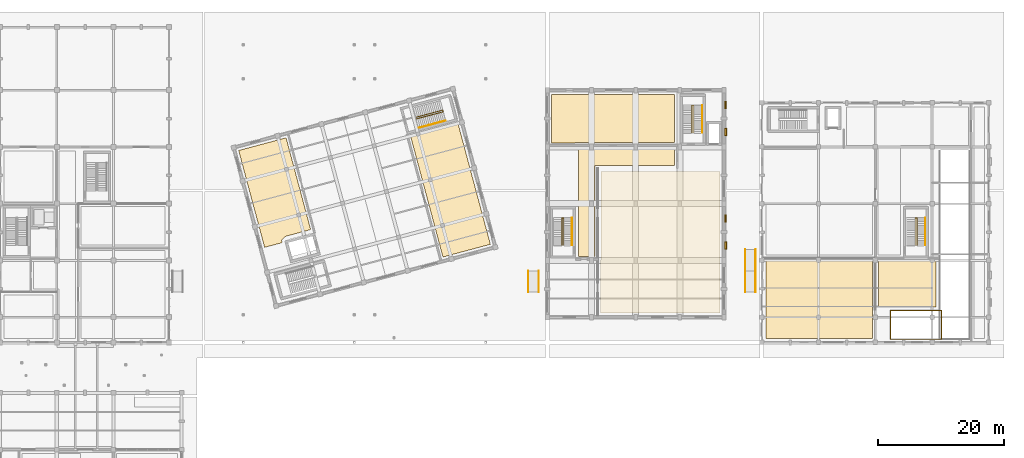
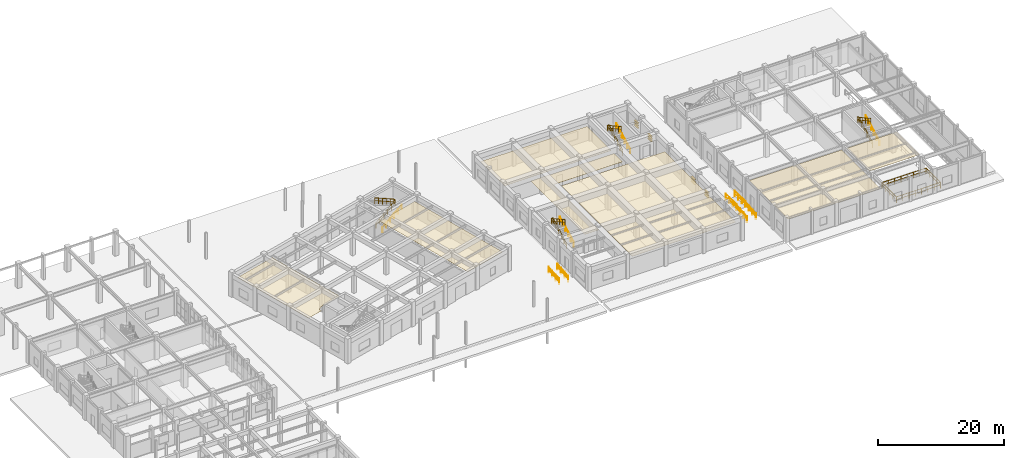
# One storey, part 45 of 47: 15 railings, 12 shading devices, 7 coverings.
"""IFC4 building model written with IfcOpenShell, lengths in metres."""

from ifc_helpers import new_model, si_unit, direction, frame, origin, origin_2d, place, context, subcontext, project, spatial, polyline, rectangle, circle, outline, extrude, material, layer, layer_set, type_object, element, save


model = new_model("IFC4")

# Units and contexts
model_context = context("Model", 3, precision=1e-05, world=origin(), true_north=direction((0.0, 1.0)))
body_context = subcontext(model_context, "Body", "Model", "MODEL_VIEW")
ifc_project = project(units=[si_unit("LENGTHUNIT", "METRE"), si_unit("AREAUNIT", "SQUARE_METRE"), si_unit("VOLUMEUNIT", "CUBIC_METRE"), si_unit("PLANEANGLEUNIT", "RADIAN"), si_unit("MASSUNIT", "GRAM", prefix="KILO")], contexts=[model_context])

# Site, building, storey
site_placement = place(None, origin())
site = spatial("IfcSite", under=ifc_project, at=site_placement, CompositionType="ELEMENT")
building_placement = place(site_placement, origin())
building = spatial("IfcBuilding", under=site, at=building_placement, Name="Ventoquebrada Cableway Terminal", CompositionType="ELEMENT")
storey_placement = place(building_placement, origin())
storey = spatial("IfcBuildingStorey", under=building, at=storey_placement, Name="L00", CompositionType="ELEMENT", Elevation=0.0)

# Coverings
ifc_material_1 = material(Name="Perforated acoustic aluminium baffle ceiling", Category="aluminium")
ifc_layer = layer(ifc_material_1, 0.044921875)
ifc_layer_set = layer_set([ifc_layer], Name="Perforated acoustic aluminium baffle ceiling")
covering_type = type_object("IfcCoveringType", Name="COV-CL01", PredefinedType="CEILING", material=ifc_layer_set)
covering_1_placement = place(storey_placement, frame((0.0, 0.0, 3.5048828125)))
element("IfcCovering", 1, at=covering_1_placement, inside=storey, type_object=covering_type, Name="Acoustic baffle ceiling CL-10", PredefinedType="CEILING", context=body_context, shape_type="SweptSolid", body=[
    extrude(outline(polyline([(50.159912109375, 79.080078125), (52.944091796875, 79.826904296875), (52.8369140625, 80.23193359375), (53.118896484375, 80.513916015625), (53.2099609375, 80.5390625), (53.343017578125, 80.72412109375), (53.535888671875, 80.843017578125), (57.4609375, 81.89599609375), (53.56005859375, 96.451904296875), (46.044921875, 94.43896484375), (50.159912109375, 79.080078125)])), origin(), (0.0, 0.0, 1.0), 0.045166015625),
])
covering_2_placement = place(storey_placement, frame((0.0, 0.0, 3.5048828125)))
element("IfcCovering", 2, at=covering_2_placement, inside=storey, type_object=covering_type, Name="Acoustic baffle ceiling CL-11", PredefinedType="CEILING", context=body_context, shape_type="SweptSolid", body=[
    extrude(outline(polyline([(73.320068359375, 96.654052734375), (78.43994140625, 77.547119140625), (85.955078125, 79.56103515625), (80.8359375, 98.66796875), (73.320068359375, 96.654052734375)])), origin(), (0.0, 0.0, 1.0), 0.045166015625),
])
covering_3_placement = place(storey_placement, frame((0.0, 0.0, 3.155029296875)))
element("IfcCovering", 3, at=covering_3_placement, inside=storey, type_object=covering_type, Name="Acoustic baffle ceiling CL-12", PredefinedType="CEILING", context=body_context, shape_type="SweptSolid", body=[
    extrude(outline(polyline([(102.550048828125, 77.64990234375), (102.550048828125, 92.050048828125), (115.1298828125, 92.050048828125), (115.1298828125, 94.75), (99.89990234375, 94.75), (99.89990234375, 85.68896484375), (99.919921875, 85.64208984375), (99.919921875, 77.64990234375), (102.550048828125, 77.64990234375)])), origin(), (0.0, 0.0, 1.0), 0.044921875),
])
covering_4_placement = place(storey_placement, frame((0.0, 0.0, 3.155029296875)))
element("IfcCovering", 4, at=covering_4_placement, inside=storey, type_object=covering_type, Name="Acoustic baffle ceiling CL-13", PredefinedType="CEILING", context=body_context, shape_type="SweptSolid", body=[
    extrude(outline(polyline([(103.449951171875, 68.64990234375), (122.35009765625, 68.64990234375), (122.35009765625, 91.1298828125), (103.469970703125, 91.1298828125), (103.469970703125, 77.10791015625), (103.449951171875, 77.06103515625), (103.449951171875, 68.64990234375)])), origin(), (0.0, 0.0, 1.0), 0.044921875),
])
covering_5_placement = place(storey_placement, frame((0.0, 0.0, 3.155029296875)))
element("IfcCovering", 5, at=covering_5_placement, inside=storey, type_object=covering_type, Name="Acoustic baffle ceiling CL-14", PredefinedType="CEILING", context=body_context, shape_type="SweptSolid", body=[
    extrude(outline(polyline([(95.64990234375, 95.64990234375), (99.31103515625, 95.64990234375), (99.35791015625, 95.669921875), (115.14990234375, 95.669921875), (115.14990234375, 103.35009765625), (95.64990234375, 103.35009765625), (95.64990234375, 95.64990234375)])), origin(), (0.0, 0.0, 1.0), 0.044921875),
])
covering_6_placement = place(storey_placement, frame((0.0, 0.0, 3.617919921875)))
element("IfcCovering", 6, at=covering_6_placement, inside=storey, type_object=covering_type, Name="Acoustic baffle ceiling CL-16", PredefinedType="CEILING", context=body_context, shape_type="SweptSolid", body=[
    extrude(outline(polyline([(146.550048828125, 64.64990234375), (146.550048828125, 76.949951171875), (129.64990234375, 76.949951171875), (129.64990234375, 64.64990234375), (146.550048828125, 64.64990234375)])), origin(), (0.0, 0.0, 1.0), 0.045166015625),
])
covering_7_placement = place(storey_placement, frame((0.0, 0.0, 3.617919921875)))
element("IfcCovering", 7, at=covering_7_placement, inside=storey, type_object=covering_type, Name="Acoustic baffle ceiling CL-18", PredefinedType="CEILING", context=body_context, shape_type="SweptSolid", body=[
    extrude(outline(polyline([(147.469970703125, 69.64990234375), (156.64990234375, 69.64990234375), (156.64990234375, 76.949951171875), (155.693115234375, 76.949951171875), (155.597900390625, 76.8798828125), (151.35791015625, 76.8798828125), (151.240966796875, 76.929931640625), (147.469970703125, 76.929931640625), (147.469970703125, 69.64990234375)])), origin(), (0.0, 0.0, 1.0), 0.045166015625),
])

# Railings
ifc_material_2 = material(Name="Brushed stainless steel Grade 316", Category="steel")
railing_type_1 = type_object("IfcRailingType", Name="RL-GD01", PredefinedType="GUARDRAIL", material=ifc_material_2)
railing_1_placement = place(storey_placement, frame((118.2099609375, 97.25, 0.14990234375)))
element("IfcRailing", 8, at=railing_1_placement, inside=storey, type_object=railing_type_1, Name="Stair well guardrail GR-S25", PredefinedType="GUARDRAIL", context=body_context, shape_type="SweptSolid", body=[
    extrude(circle(Radius=0.02392578125, at=origin_2d()), frame((0.0, 0.001708984375, 1.096923828125), z_axis=(0.0, 0.888221851817, 0.459414782038), x_axis=(-1.0, 0.0, 0.0)), (0.0, 0.0, 1.0), 4.8935546875),
    extrude(circle(Radius=0.01611328125, at=origin_2d()), frame((0.0, 0.001708984375, 0.56103515625), z_axis=(0.0, 0.888221851817, 0.459414782038), x_axis=(-1.0, 0.0, 0.0)), (0.0, 0.0, 1.0), 4.8935546875),
    extrude(circle(Radius=0.02392578125, at=origin_2d()), frame((-0.001953125, 4.35009765625, 3.34619140625), z_axis=(-1.0, 0.0, 0.0), x_axis=(0.0, -1.0, 0.0)), (0.0, 0.0, 1.0), 0.276123046875),
    extrude(circle(Radius=0.01611328125, at=origin_2d()), frame((-0.001953125, 4.35009765625, 2.81005859375), z_axis=(-1.0, 0.0, 0.0), x_axis=(0.0, -1.0, 0.0)), (0.0, 0.0, 1.0), 0.276123046875),
    extrude(circle(Radius=0.02392578125, at=origin_2d()), frame((-0.280029296875, 4.348388671875, 3.346923828125), z_axis=(0.0, -0.875569800069, 0.483091632309), x_axis=(1.0, 0.0, 0.0)), (0.0, 0.0, 1.0), 4.96435546875),
    extrude(circle(Radius=0.01611328125, at=origin_2d()), frame((-0.280029296875, 4.348388671875, 2.81103515625), z_axis=(0.0, -0.875569800069, 0.483091632309), x_axis=(1.0, 0.0, 0.0)), (0.0, 0.0, 1.0), 4.96435546875),
    extrude(circle(Radius=0.02099609375, at=origin_2d()), origin(), (0.0, 0.0, 1.0), 1.072021484375),
    extrude(circle(Radius=0.02099609375, at=origin_2d()), frame((0.0, 0.8701171875, 0.449951171875)), (0.0, 0.0, 1.0), 1.072021484375),
    extrude(circle(Radius=0.02099609375, at=origin_2d()), frame((0.0, 1.739990234375, 0.89990234375)), (0.0, 0.0, 1.0), 1.072021484375),
    extrude(circle(Radius=0.02099609375, at=origin_2d()), frame((0.0, 2.610107421875, 1.35009765625)), (0.0, 0.0, 1.0), 1.072021484375),
    extrude(circle(Radius=0.02099609375, at=origin_2d()), frame((0.0, 3.47998046875, 1.800048828125)), (0.0, 0.0, 1.0), 1.072021484375),
    extrude(circle(Radius=0.02099609375, at=origin_2d()), frame((0.0, 4.35009765625, 2.25)), (0.0, 0.0, 1.0), 1.072021484375),
    extrude(circle(Radius=0.02099609375, at=origin_2d()), frame((-0.280029296875, 4.35009765625, 2.25)), (0.0, 0.0, 1.0), 1.072021484375),
    extrude(circle(Radius=0.02099609375, at=origin_2d()), frame((-0.280029296875, 3.47998046875, 2.72998046875)), (0.0, 0.0, 1.0), 1.072021484375),
    extrude(circle(Radius=0.02099609375, at=origin_2d()), frame((-0.280029296875, 2.610107421875, 3.2099609375)), (0.0, 0.0, 1.0), 1.072021484375),
    extrude(circle(Radius=0.02099609375, at=origin_2d()), frame((-0.280029296875, 1.739990234375, 3.690185546875)), (0.0, 0.0, 1.0), 1.072021484375),
    extrude(circle(Radius=0.02099609375, at=origin_2d()), frame((-0.280029296875, 0.8701171875, 4.170166015625)), (0.0, 0.0, 1.0), 1.072021484375),
    extrude(circle(Radius=0.02099609375, at=origin_2d()), frame((-0.280029296875, 0.0, 4.650146484375)), (0.0, 0.0, 1.0), 1.072021484375),
])
railing_2_placement = place(storey_placement, frame((153.610107421875, 79.39990234375, 0.14990234375)))
element("IfcRailing", 9, at=railing_2_placement, inside=storey, type_object=railing_type_1, Name="Stair well guardrail GR-S27", PredefinedType="GUARDRAIL", context=body_context, shape_type="SweptSolid", body=[
    extrude(circle(Radius=0.02392578125, at=origin_2d()), frame((0.0, 0.001708984375, 1.096923828125), z_axis=(0.0, 0.888221851817, 0.459414782038), x_axis=(-1.0, 0.0, 0.0)), (0.0, 0.0, 1.0), 4.8935546875),
    extrude(circle(Radius=0.01611328125, at=origin_2d()), frame((0.0, 0.001708984375, 0.56103515625), z_axis=(0.0, 0.888221851817, 0.459414782038), x_axis=(-1.0, 0.0, 0.0)), (0.0, 0.0, 1.0), 4.8935546875),
    extrude(circle(Radius=0.02392578125, at=origin_2d()), frame((-0.001953125, 4.35009765625, 3.34619140625), z_axis=(-1.0, 0.0, 0.0), x_axis=(0.0, -1.0, 0.0)), (0.0, 0.0, 1.0), 0.276123046875),
    extrude(circle(Radius=0.01611328125, at=origin_2d()), frame((-0.001953125, 4.35009765625, 2.81005859375), z_axis=(-1.0, 0.0, 0.0), x_axis=(0.0, -1.0, 0.0)), (0.0, 0.0, 1.0), 0.276123046875),
    extrude(circle(Radius=0.02392578125, at=origin_2d()), frame((-0.280029296875, 4.348388671875, 3.346923828125), z_axis=(0.0, -0.875569800069, 0.483091632309), x_axis=(1.0, 0.0, 0.0)), (0.0, 0.0, 1.0), 4.96435546875),
    extrude(circle(Radius=0.01611328125, at=origin_2d()), frame((-0.280029296875, 4.348388671875, 2.81103515625), z_axis=(0.0, -0.875569800069, 0.483091632309), x_axis=(1.0, 0.0, 0.0)), (0.0, 0.0, 1.0), 4.96435546875),
    extrude(circle(Radius=0.02099609375, at=origin_2d()), origin(), (0.0, 0.0, 1.0), 1.072021484375),
    extrude(circle(Radius=0.02099609375, at=origin_2d()), frame((0.0, 0.8701171875, 0.449951171875)), (0.0, 0.0, 1.0), 1.072021484375),
    extrude(circle(Radius=0.02099609375, at=origin_2d()), frame((0.0, 1.739990234375, 0.89990234375)), (0.0, 0.0, 1.0), 1.072021484375),
    extrude(circle(Radius=0.02099609375, at=origin_2d()), frame((0.0, 2.610107421875, 1.35009765625)), (0.0, 0.0, 1.0), 1.072021484375),
    extrude(circle(Radius=0.02099609375, at=origin_2d()), frame((0.0, 3.47998046875, 1.800048828125)), (0.0, 0.0, 1.0), 1.072021484375),
    extrude(circle(Radius=0.02099609375, at=origin_2d()), frame((0.0, 4.35009765625, 2.25)), (0.0, 0.0, 1.0), 1.072021484375),
    extrude(circle(Radius=0.02099609375, at=origin_2d()), frame((-0.280029296875, 4.35009765625, 2.25)), (0.0, 0.0, 1.0), 1.072021484375),
    extrude(circle(Radius=0.02099609375, at=origin_2d()), frame((-0.280029296875, 3.47998046875, 2.72998046875)), (0.0, 0.0, 1.0), 1.072021484375),
    extrude(circle(Radius=0.02099609375, at=origin_2d()), frame((-0.280029296875, 2.610107421875, 3.2099609375)), (0.0, 0.0, 1.0), 1.072021484375),
    extrude(circle(Radius=0.02099609375, at=origin_2d()), frame((-0.280029296875, 1.739990234375, 3.690185546875)), (0.0, 0.0, 1.0), 1.072021484375),
    extrude(circle(Radius=0.02099609375, at=origin_2d()), frame((-0.280029296875, 0.8701171875, 4.170166015625)), (0.0, 0.0, 1.0), 1.072021484375),
    extrude(circle(Radius=0.02099609375, at=origin_2d()), frame((-0.280029296875, 0.0, 4.650146484375)), (0.0, 0.0, 1.0), 1.072021484375),
])
railing_3_placement = place(storey_placement, frame((74.259033203125, 99.450927734375, 0.14990234375)))
element("IfcRailing", 10, at=railing_3_placement, inside=storey, type_object=railing_type_1, Name="Stair well guardrail GR-S32", PredefinedType="GUARDRAIL", context=body_context, shape_type="SweptSolid", body=[
    extrude(circle(Radius=0.02392578125, at=origin_2d()), frame((0.001708984375, 0.00048828125, 1.096923828125), z_axis=(0.857954622313, 0.229904521417, 0.459410249215), x_axis=(-0.258836138861, 0.965921245868, 0.0)), (0.0, 0.0, 1.0), 4.8935546875),
    extrude(circle(Radius=0.01611328125, at=origin_2d()), frame((0.001708984375, 0.00048828125, 0.56103515625), z_axis=(0.857954622313, 0.229904521417, 0.459410249215), x_axis=(-0.258836138861, 0.965921245868, 0.0)), (0.0, 0.0, 1.0), 4.8935546875),
    extrude(circle(Radius=0.02392578125, at=origin_2d()), frame((4.201416015625, 1.1279296875, 3.34619140625), z_axis=(-0.260098256048, 0.965582154558, 0.0), x_axis=(-0.965582154558, -0.260098256048, 0.0)), (0.0, 0.0, 1.0), 0.276611328125),
    extrude(circle(Radius=0.01611328125, at=origin_2d()), frame((4.201416015625, 1.1279296875, 2.81005859375), z_axis=(-0.260098256048, 0.965582154558, 0.0), x_axis=(-0.965582154558, -0.260098256048, 0.0)), (0.0, 0.0, 1.0), 0.276611328125),
    extrude(circle(Radius=0.02392578125, at=origin_2d()), frame((4.127197265625, 1.396484375, 3.346923828125), z_axis=(-0.845677960168, -0.226667446521, 0.483167317162), x_axis=(0.258892276357, -0.965906201058, 0.0)), (0.0, 0.0, 1.0), 4.963623046875),
    extrude(circle(Radius=0.01611328125, at=origin_2d()), frame((4.127197265625, 1.396484375, 2.81103515625), z_axis=(-0.845677960168, -0.226667446521, 0.483167317162), x_axis=(0.258892276357, -0.965906201058, 0.0)), (0.0, 0.0, 1.0), 4.963623046875),
    extrude(circle(Radius=0.02099609375, at=origin_2d()), origin(), (0.0, 0.0, 1.0), 1.072021484375),
    extrude(circle(Radius=0.02099609375, at=origin_2d()), frame((0.84033203125, 0.22509765625, 0.449951171875)), (0.0, 0.0, 1.0), 1.072021484375),
    extrude(circle(Radius=0.02099609375, at=origin_2d()), frame((1.6806640625, 0.450439453125, 0.89990234375)), (0.0, 0.0, 1.0), 1.072021484375),
    extrude(circle(Radius=0.02099609375, at=origin_2d()), frame((2.521240234375, 0.675537109375, 1.35009765625)), (0.0, 0.0, 1.0), 1.072021484375),
    extrude(circle(Radius=0.02099609375, at=origin_2d()), frame((3.361572265625, 0.90087890625, 1.800048828125)), (0.0, 0.0, 1.0), 1.072021484375),
    extrude(circle(Radius=0.02099609375, at=origin_2d()), frame((4.201904296875, 1.1259765625, 2.25)), (0.0, 0.0, 1.0), 1.072021484375),
    extrude(circle(Radius=0.02099609375, at=origin_2d()), frame((4.12890625, 1.39697265625, 2.25)), (0.0, 0.0, 1.0), 1.072021484375),
    extrude(circle(Radius=0.02099609375, at=origin_2d()), frame((3.288818359375, 1.171875, 2.72998046875)), (0.0, 0.0, 1.0), 1.072021484375),
    extrude(circle(Radius=0.02099609375, at=origin_2d()), frame((2.448486328125, 0.946533203125, 3.2099609375)), (0.0, 0.0, 1.0), 1.072021484375),
    extrude(circle(Radius=0.02099609375, at=origin_2d()), frame((1.6083984375, 0.721435546875, 3.690185546875)), (0.0, 0.0, 1.0), 1.072021484375),
    extrude(circle(Radius=0.02099609375, at=origin_2d()), frame((0.76806640625, 0.49609375, 4.170166015625)), (0.0, 0.0, 1.0), 1.072021484375),
    extrude(circle(Radius=0.02099609375, at=origin_2d()), frame((-0.072021484375, 0.27099609375, 4.650146484375)), (0.0, 0.0, 1.0), 1.072021484375),
])
railing_4_placement = place(storey_placement, frame((97.610107421875, 79.39990234375, 0.14990234375)))
element("IfcRailing", 11, at=railing_4_placement, inside=storey, type_object=railing_type_1, Name="Stair well guardrail GR-S33", PredefinedType="GUARDRAIL", context=body_context, shape_type="SweptSolid", body=[
    extrude(circle(Radius=0.02392578125, at=origin_2d()), frame((0.0, 0.001708984375, 1.096923828125), z_axis=(0.0, 0.888221851817, 0.459414782038), x_axis=(-1.0, 0.0, 0.0)), (0.0, 0.0, 1.0), 4.8935546875),
    extrude(circle(Radius=0.01611328125, at=origin_2d()), frame((0.0, 0.001708984375, 0.56103515625), z_axis=(0.0, 0.888221851817, 0.459414782038), x_axis=(-1.0, 0.0, 0.0)), (0.0, 0.0, 1.0), 4.8935546875),
    extrude(circle(Radius=0.02392578125, at=origin_2d()), frame((-0.001953125, 4.35009765625, 3.34619140625), z_axis=(-1.0, 0.0, 0.0), x_axis=(0.0, -1.0, 0.0)), (0.0, 0.0, 1.0), 0.276123046875),
    extrude(circle(Radius=0.01611328125, at=origin_2d()), frame((-0.001953125, 4.35009765625, 2.81005859375), z_axis=(-1.0, 0.0, 0.0), x_axis=(0.0, -1.0, 0.0)), (0.0, 0.0, 1.0), 0.276123046875),
    extrude(circle(Radius=0.02392578125, at=origin_2d()), frame((-0.280029296875, 4.348388671875, 3.346923828125), z_axis=(0.0, -0.875569800069, 0.483091632309), x_axis=(1.0, 0.0, 0.0)), (0.0, 0.0, 1.0), 4.96435546875),
    extrude(circle(Radius=0.01611328125, at=origin_2d()), frame((-0.280029296875, 4.348388671875, 2.81103515625), z_axis=(0.0, -0.875569800069, 0.483091632309), x_axis=(1.0, 0.0, 0.0)), (0.0, 0.0, 1.0), 4.96435546875),
    extrude(circle(Radius=0.02099609375, at=origin_2d()), origin(), (0.0, 0.0, 1.0), 1.072021484375),
    extrude(circle(Radius=0.02099609375, at=origin_2d()), frame((0.0, 0.8701171875, 0.449951171875)), (0.0, 0.0, 1.0), 1.072021484375),
    extrude(circle(Radius=0.02099609375, at=origin_2d()), frame((0.0, 1.739990234375, 0.89990234375)), (0.0, 0.0, 1.0), 1.072021484375),
    extrude(circle(Radius=0.02099609375, at=origin_2d()), frame((0.0, 2.610107421875, 1.35009765625)), (0.0, 0.0, 1.0), 1.072021484375),
    extrude(circle(Radius=0.02099609375, at=origin_2d()), frame((0.0, 3.47998046875, 1.800048828125)), (0.0, 0.0, 1.0), 1.072021484375),
    extrude(circle(Radius=0.02099609375, at=origin_2d()), frame((0.0, 4.35009765625, 2.25)), (0.0, 0.0, 1.0), 1.072021484375),
    extrude(circle(Radius=0.02099609375, at=origin_2d()), frame((-0.280029296875, 4.35009765625, 2.25)), (0.0, 0.0, 1.0), 1.072021484375),
    extrude(circle(Radius=0.02099609375, at=origin_2d()), frame((-0.280029296875, 3.47998046875, 2.72998046875)), (0.0, 0.0, 1.0), 1.072021484375),
    extrude(circle(Radius=0.02099609375, at=origin_2d()), frame((-0.280029296875, 2.610107421875, 3.2099609375)), (0.0, 0.0, 1.0), 1.072021484375),
    extrude(circle(Radius=0.02099609375, at=origin_2d()), frame((-0.280029296875, 1.739990234375, 3.690185546875)), (0.0, 0.0, 1.0), 1.072021484375),
    extrude(circle(Radius=0.02099609375, at=origin_2d()), frame((-0.280029296875, 0.8701171875, 4.170166015625)), (0.0, 0.0, 1.0), 1.072021484375),
    extrude(circle(Radius=0.02099609375, at=origin_2d()), frame((-0.280029296875, 0.0, 4.650146484375)), (0.0, 0.0, 1.0), 1.072021484375),
])
railing_5_placement = place(storey_placement, frame((157.47998046875, 64.52001953125, 0.0)))
element("IfcRailing", 12, at=railing_5_placement, inside=storey, type_object=railing_type_1, Name="Ramp void guardrail GR-V068", PredefinedType="GUARDRAIL", context=body_context, shape_type="SweptSolid", body=[
    extrude(circle(Radius=0.02392578125, at=origin_2d()), frame((-0.001953125, 0.0, 1.09619140625), z_axis=(-1.0, 0.0, 0.0), x_axis=(0.0, -1.0, 0.0)), (0.0, 0.0, 1.0), 8.05615234375),
    extrude(circle(Radius=0.01611328125, at=origin_2d()), frame((-0.001953125, 0.0, 0.56005859375), z_axis=(-1.0, 0.0, 0.0), x_axis=(0.0, -1.0, 0.0)), (0.0, 0.0, 1.0), 8.05615234375),
    extrude(circle(Radius=0.02392578125, at=origin_2d()), frame((-8.06005859375, 0.001953125, 1.09619140625), z_axis=(0.0, 1.0, 0.0), x_axis=(-1.0, 0.0, 0.0)), (0.0, 0.0, 1.0), 4.55615234375),
    extrude(circle(Radius=0.01611328125, at=origin_2d()), frame((-8.06005859375, 0.001953125, 0.56005859375), z_axis=(0.0, 1.0, 0.0), x_axis=(-1.0, 0.0, 0.0)), (0.0, 0.0, 1.0), 4.55615234375),
    extrude(circle(Radius=0.02392578125, at=origin_2d()), frame((-8.05810546875, 4.56005859375, 1.09619140625), z_axis=(1.0, 0.0, 0.0), x_axis=(0.0, 1.0, 0.0)), (0.0, 0.0, 1.0), 8.05615234375),
    extrude(circle(Radius=0.01611328125, at=origin_2d()), frame((-8.05810546875, 4.56005859375, 0.56005859375), z_axis=(1.0, 0.0, 0.0), x_axis=(0.0, 1.0, 0.0)), (0.0, 0.0, 1.0), 8.05615234375),
    extrude(circle(Radius=0.02392578125, at=origin_2d()), frame((0.0, 4.55810546875, 1.09619140625), z_axis=(0.0, -1.0, 0.0), x_axis=(1.0, 0.0, 0.0)), (0.0, 0.0, 1.0), 4.55615234375),
    extrude(circle(Radius=0.01611328125, at=origin_2d()), frame((0.0, 4.55810546875, 0.56005859375), z_axis=(0.0, -1.0, 0.0), x_axis=(1.0, 0.0, 0.0)), (0.0, 0.0, 1.0), 4.55615234375),
    extrude(circle(Radius=0.02099609375, at=origin_2d()), origin(), (0.0, 0.0, 1.0), 1.072021484375),
    extrude(circle(Radius=0.02099609375, at=origin_2d()), frame((-1.1513671875, 0.0, 0.0)), (0.0, 0.0, 1.0), 1.072021484375),
    extrude(circle(Radius=0.02099609375, at=origin_2d()), frame((-2.302978515625, 0.0, 0.0)), (0.0, 0.0, 1.0), 1.072021484375),
    extrude(circle(Radius=0.02099609375, at=origin_2d()), frame((-3.454345703125, 0.0, 0.0)), (0.0, 0.0, 1.0), 1.072021484375),
    extrude(circle(Radius=0.02099609375, at=origin_2d()), frame((-4.605712890625, 0.0, 0.0)), (0.0, 0.0, 1.0), 1.072021484375),
    extrude(circle(Radius=0.02099609375, at=origin_2d()), frame((-5.757080078125, 0.0, 0.0)), (0.0, 0.0, 1.0), 1.072021484375),
    extrude(circle(Radius=0.02099609375, at=origin_2d()), frame((-6.90869140625, 0.0, 0.0)), (0.0, 0.0, 1.0), 1.072021484375),
    extrude(circle(Radius=0.02099609375, at=origin_2d()), frame((-8.06005859375, 0.0, 0.0)), (0.0, 0.0, 1.0), 1.072021484375),
    extrude(circle(Radius=0.02099609375, at=origin_2d()), frame((-8.06005859375, 1.14013671875, 0.0)), (0.0, 0.0, 1.0), 1.072021484375),
    extrude(circle(Radius=0.02099609375, at=origin_2d()), frame((-8.06005859375, 2.280029296875, 0.0)), (0.0, 0.0, 1.0), 1.072021484375),
    extrude(circle(Radius=0.02099609375, at=origin_2d()), frame((-8.06005859375, 3.419921875, 0.0)), (0.0, 0.0, 1.0), 1.072021484375),
    extrude(circle(Radius=0.02099609375, at=origin_2d()), frame((-8.06005859375, 4.56005859375, 0.0)), (0.0, 0.0, 1.0), 1.072021484375),
    extrude(circle(Radius=0.02099609375, at=origin_2d()), frame((-6.90869140625, 4.56005859375, 0.0)), (0.0, 0.0, 1.0), 1.072021484375),
    extrude(circle(Radius=0.02099609375, at=origin_2d()), frame((-5.757080078125, 4.56005859375, 0.0)), (0.0, 0.0, 1.0), 1.072021484375),
    extrude(circle(Radius=0.02099609375, at=origin_2d()), frame((-4.605712890625, 4.56005859375, 0.0)), (0.0, 0.0, 1.0), 1.072021484375),
    extrude(circle(Radius=0.02099609375, at=origin_2d()), frame((-3.454345703125, 4.56005859375, 0.0)), (0.0, 0.0, 1.0), 1.072021484375),
    extrude(circle(Radius=0.02099609375, at=origin_2d()), frame((-2.302978515625, 4.56005859375, 0.0)), (0.0, 0.0, 1.0), 1.072021484375),
    extrude(circle(Radius=0.02099609375, at=origin_2d()), frame((-1.1513671875, 4.56005859375, 0.0)), (0.0, 0.0, 1.0), 1.072021484375),
    extrude(circle(Radius=0.02099609375, at=origin_2d()), frame((0.0, 4.56005859375, 0.0)), (0.0, 0.0, 1.0), 1.072021484375),
    extrude(circle(Radius=0.02099609375, at=origin_2d()), frame((0.0, 3.419921875, 0.0)), (0.0, 0.0, 1.0), 1.072021484375),
    extrude(circle(Radius=0.02099609375, at=origin_2d()), frame((0.0, 2.280029296875, 0.0)), (0.0, 0.0, 1.0), 1.072021484375),
    extrude(circle(Radius=0.02099609375, at=origin_2d()), frame((0.0, 1.14013671875, 0.0)), (0.0, 0.0, 1.0), 1.072021484375),
])
railing_type_2 = type_object("IfcRailingType", Name="RL-GD02", PredefinedType="BALUSTRADE", material=ifc_material_2)
for number, where, name in (
    (13, (91.97998046875, 72.0, -0.280029296875), "Accessible ramp guardrail GR-R44"),
    (14, (93.6201171875, 72.0, -0.280029296875), "Accessible ramp guardrail GR-R45"),
    (15, (126.3798828125, 72.0, -0.280029296875), "Accessible ramp guardrail GR-R46"),
    (16, (128.02001953125, 72.0, -0.280029296875), "Accessible ramp guardrail GR-R47"),
):
    element("IfcRailing", number, at=place(storey_placement, frame(where)), inside=storey, type_object=railing_type_2, Name=name, PredefinedType="BALUSTRADE", context=body_context, shape_type="SweptSolid", body=[
        extrude(circle(Radius=0.02392578125, at=origin_2d()), frame((0.0, 0.001953125, 1.1259765625), z_axis=(0.0, 0.996545258864, 0.083051472202), x_axis=(-1.0, 0.0, 0.0)), (0.0, 0.0, 1.0), 3.36767578125),
        extrude(circle(Radius=0.01611328125, at=origin_2d()), frame((0.0, 0.001953125, 0.5751953125), z_axis=(0.0, 0.996545258864, 0.083051472202), x_axis=(-1.0, 0.0, 0.0)), (0.0, 0.0, 1.0), 3.36767578125),
        extrude(circle(Radius=0.02099609375, at=origin_2d()), origin(), (0.0, 0.0, 1.0), 1.101806640625),
        extrude(circle(Radius=0.02099609375, at=origin_2d()), frame((0.0, 1.1201171875, 0.09326171875)), (0.0, 0.0, 1.0), 1.101806640625),
        extrude(circle(Radius=0.02099609375, at=origin_2d()), frame((0.0, 2.239990234375, 0.186767578125)), (0.0, 0.0, 1.0), 1.101806640625),
        extrude(circle(Radius=0.02099609375, at=origin_2d()), frame((0.0, 3.360107421875, 0.280029296875)), (0.0, 0.0, 1.0), 1.101806640625),
    ])
for number, where, name in (
    (17, (126.3798828125, 75.360107421875, 0.0), "Accessible ramp guardrail GR-R48"),
    (18, (128.02001953125, 75.360107421875, 0.0), "Accessible ramp guardrail GR-R49"),
):
    element("IfcRailing", number, at=place(storey_placement, frame(where)), inside=storey, type_object=railing_type_2, Name=name, PredefinedType="BALUSTRADE", context=body_context, shape_type="SweptSolid", body=[
        extrude(circle(Radius=0.02392578125, at=origin_2d()), frame((0.0, 0.001953125, 1.1259765625), z_axis=(0.0, 1.0, 0.0), x_axis=(-1.0, 0.0, 0.0)), (0.0, 0.0, 1.0), 3.35595703125),
        extrude(circle(Radius=0.01611328125, at=origin_2d()), frame((0.0, 0.001953125, 0.574951171875), z_axis=(0.0, 1.0, 0.0), x_axis=(-1.0, 0.0, 0.0)), (0.0, 0.0, 1.0), 3.35595703125),
        extrude(circle(Radius=0.02099609375, at=origin_2d()), origin(), (0.0, 0.0, 1.0), 1.101806640625),
        extrude(circle(Radius=0.02099609375, at=origin_2d()), frame((0.0, 1.119873046875, 0.0)), (0.0, 0.0, 1.0), 1.101806640625),
        extrude(circle(Radius=0.02099609375, at=origin_2d()), frame((0.0, 2.239990234375, 0.0)), (0.0, 0.0, 1.0), 1.101806640625),
        extrude(circle(Radius=0.02099609375, at=origin_2d()), frame((0.0, 3.35986328125, 0.0)), (0.0, 0.0, 1.0), 1.101806640625),
    ])
railing_type_3 = type_object("IfcRailingType", Name="RL-HR01", PredefinedType="HANDRAIL", material=ifc_material_2)
for number, where, name in (
    (19, (119.570068359375, 97.25, 0.14990234375), "Stair wall handrail HR-S25"),
    (20, (154.919921875, 79.39990234375, 0.14990234375), "Stair wall handrail HR-S27"),
):
    element("IfcRailing", number, at=place(storey_placement, frame(where)), inside=storey, type_object=railing_type_3, Name=name, PredefinedType="HANDRAIL", context=body_context, shape_type="SweptSolid", body=[
        extrude(circle(Radius=0.02392578125, at=origin_2d()), frame((0.0, 0.001708984375, 0.896728515625), z_axis=(0.0, 0.888221851817, 0.459414782038), x_axis=(-1.0, 0.0, 0.0)), (0.0, 0.0, 1.0), 4.8935546875),
        extrude(circle(Radius=0.02099609375, at=origin_2d()), origin(), (0.0, 0.0, 1.0), 0.871826171875),
        extrude(circle(Radius=0.02099609375, at=origin_2d()), frame((0.0, 0.8701171875, 0.449951171875)), (0.0, 0.0, 1.0), 0.871826171875),
        extrude(circle(Radius=0.02099609375, at=origin_2d()), frame((0.0, 1.739990234375, 0.89990234375)), (0.0, 0.0, 1.0), 0.871826171875),
        extrude(circle(Radius=0.02099609375, at=origin_2d()), frame((0.0, 2.610107421875, 1.35009765625)), (0.0, 0.0, 1.0), 0.871826171875),
        extrude(circle(Radius=0.02099609375, at=origin_2d()), frame((0.0, 3.47998046875, 1.800048828125)), (0.0, 0.0, 1.0), 0.871826171875),
        extrude(circle(Radius=0.02099609375, at=origin_2d()), frame((0.0, 4.35009765625, 2.25)), (0.0, 0.0, 1.0), 0.871826171875),
    ])
railing_6_placement = place(storey_placement, frame((74.636962890625, 98.041015625, 0.14990234375)))
element("IfcRailing", 21, at=railing_6_placement, inside=storey, type_object=railing_type_3, Name="Stair wall handrail HR-S32", PredefinedType="HANDRAIL", context=body_context, shape_type="SweptSolid", body=[
    extrude(circle(Radius=0.02392578125, at=origin_2d()), frame((0.001708984375, 0.00048828125, 0.896728515625), z_axis=(0.857967777365, 0.229894689124, 0.459390601685), x_axis=(-0.258822108155, 0.965925005542, 0.0)), (0.0, 0.0, 1.0), 4.893798828125),
    extrude(circle(Radius=0.02099609375, at=origin_2d()), origin(), (0.0, 0.0, 1.0), 0.871826171875),
    extrude(circle(Radius=0.02099609375, at=origin_2d()), frame((0.84033203125, 0.22509765625, 0.449951171875)), (0.0, 0.0, 1.0), 0.871826171875),
    extrude(circle(Radius=0.02099609375, at=origin_2d()), frame((1.680908203125, 0.450439453125, 0.89990234375)), (0.0, 0.0, 1.0), 0.871826171875),
    extrude(circle(Radius=0.02099609375, at=origin_2d()), frame((2.521240234375, 0.675537109375, 1.35009765625)), (0.0, 0.0, 1.0), 0.871826171875),
    extrude(circle(Radius=0.02099609375, at=origin_2d()), frame((3.36181640625, 0.90087890625, 1.800048828125)), (0.0, 0.0, 1.0), 0.871826171875),
    extrude(circle(Radius=0.02099609375, at=origin_2d()), frame((4.2021484375, 1.1259765625, 2.25)), (0.0, 0.0, 1.0), 0.871826171875),
])
railing_7_placement = place(storey_placement, frame((98.919921875, 79.39990234375, 0.14990234375)))
element("IfcRailing", 22, at=railing_7_placement, inside=storey, type_object=railing_type_3, Name="Stair wall handrail HR-S33", PredefinedType="HANDRAIL", context=body_context, shape_type="SweptSolid", body=[
    extrude(circle(Radius=0.02392578125, at=origin_2d()), frame((0.0, 0.001708984375, 0.896728515625), z_axis=(0.0, 0.888221851817, 0.459414782038), x_axis=(-1.0, 0.0, 0.0)), (0.0, 0.0, 1.0), 4.8935546875),
    extrude(circle(Radius=0.02099609375, at=origin_2d()), origin(), (0.0, 0.0, 1.0), 0.871826171875),
    extrude(circle(Radius=0.02099609375, at=origin_2d()), frame((0.0, 0.8701171875, 0.449951171875)), (0.0, 0.0, 1.0), 0.871826171875),
    extrude(circle(Radius=0.02099609375, at=origin_2d()), frame((0.0, 1.739990234375, 0.89990234375)), (0.0, 0.0, 1.0), 0.871826171875),
    extrude(circle(Radius=0.02099609375, at=origin_2d()), frame((0.0, 2.610107421875, 1.35009765625)), (0.0, 0.0, 1.0), 0.871826171875),
    extrude(circle(Radius=0.02099609375, at=origin_2d()), frame((0.0, 3.47998046875, 1.800048828125)), (0.0, 0.0, 1.0), 0.871826171875),
    extrude(circle(Radius=0.02099609375, at=origin_2d()), frame((0.0, 4.35009765625, 2.25)), (0.0, 0.0, 1.0), 0.871826171875),
])

# Shading devices
ifc_material_3 = material(Name="Anodized thermally-broken aluminium", Category="aluminium")
shading_device_type = type_object("IfcShadingDeviceType", Name="SHD-JL1", PredefinedType="JALOUSIE", material=ifc_material_3)
for number, where, z_axis, x_axis, name in (
    (23, (123.27001953125, 79.363037109375, 1.33984375), (0.0, 0.0, 1.0), (0.0, 1.0, 0.0), "Plant ventilation louvre bank LV-001"),
    (24, (123.27001953125, 79.363037109375, 1.7900390625), (0.0, 0.0, 1.0), (0.0, 1.0, 0.0), "Plant ventilation louvre bank LV-002"),
    (25, (123.27001953125, 79.363037109375, 2.239990234375), (0.0, 0.0, 1.0), (0.0, 1.0, 0.0), "Plant ventilation louvre bank LV-003"),
    (26, (123.25, 83.636962890625, 1.33984375), (0.0, 0.0, 1.0), (0.0, 1.0, 0.0), "Plant ventilation louvre bank LV-004"),
    (27, (123.25, 83.636962890625, 1.7900390625), (0.0, 0.0, 1.0), (0.0, 1.0, 0.0), "Plant ventilation louvre bank LV-005"),
    (28, (123.25, 83.636962890625, 2.239990234375), (0.0, 0.0, 1.0), (0.0, 1.0, 0.0), "Plant ventilation louvre bank LV-006"),
    (29, (123.27001953125, 97.363037109375, 1.33984375), (0.0, 0.0, 1.0), (0.0, 1.0, 0.0), "Plant ventilation louvre bank LV-007"),
    (30, (123.27001953125, 97.363037109375, 1.7900390625), (0.0, 0.0, 1.0), (0.0, 1.0, 0.0), "Plant ventilation louvre bank LV-008"),
    (31, (123.27001953125, 97.363037109375, 2.239990234375), (0.0, 0.0, 1.0), (0.0, 1.0, 0.0), "Plant ventilation louvre bank LV-009"),
    (32, (123.25, 101.636962890625, 1.33984375), (0.0, 0.0, 1.0), (0.0, 1.0, 0.0), "Plant ventilation louvre bank LV-010"),
    (33, (123.25, 101.636962890625, 1.7900390625), (0.0, 0.0, 1.0), (0.0, 1.0, 0.0), "Plant ventilation louvre bank LV-011"),
    (34, (123.25, 101.636962890625, 2.239990234375), (0.0, 0.0, 1.0), (0.0, 1.0, 0.0), "Plant ventilation louvre bank LV-012"),
):
    element("IfcShadingDevice", number, at=place(storey_placement, frame(where, z_axis=z_axis, x_axis=x_axis)), inside=storey, type_object=shading_device_type, Name=name, PredefinedType="JALOUSIE", context=body_context, shape_type="SweptSolid", body=[
        extrude(rectangle(XDim=1.15087890625, YDim=0.300048828125, at=origin_2d()), origin(), (0.0, 0.0, 1.0), 0.1201171875),
    ])

save(model, "model.ifc")
